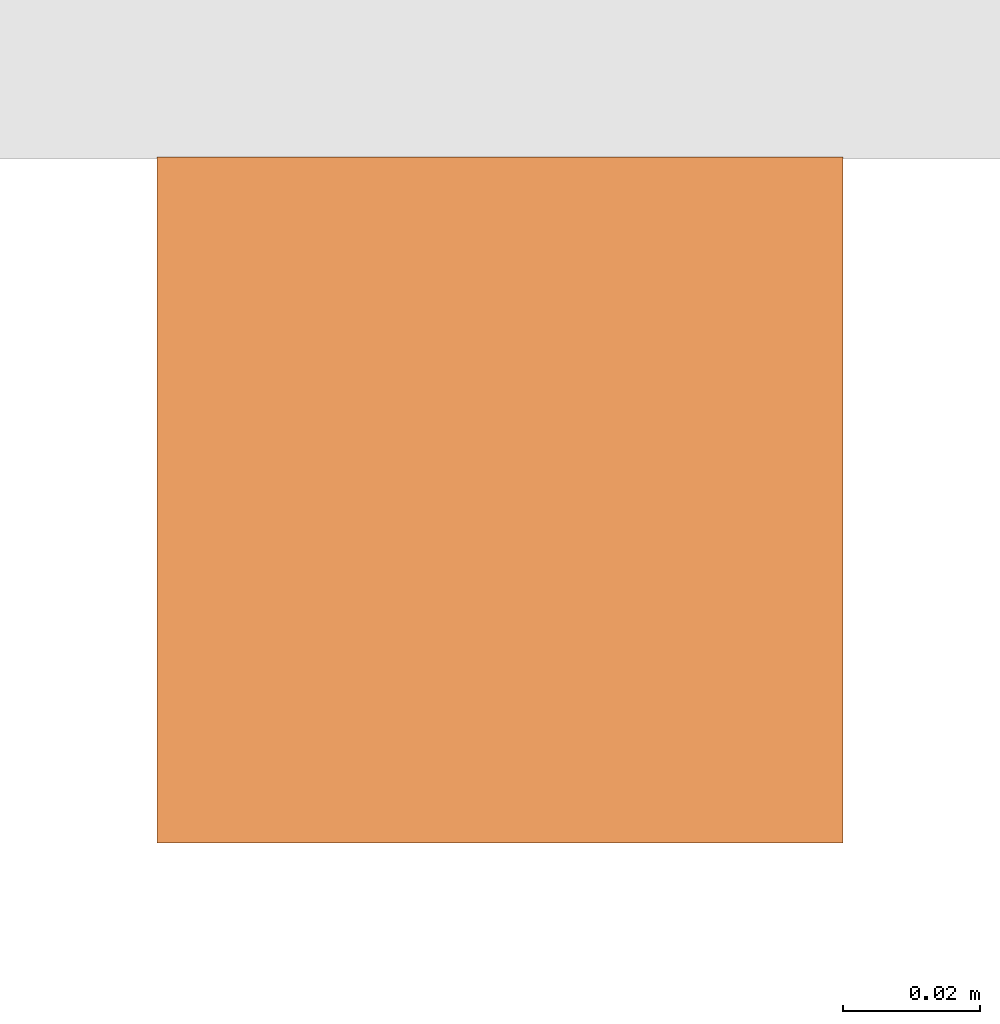
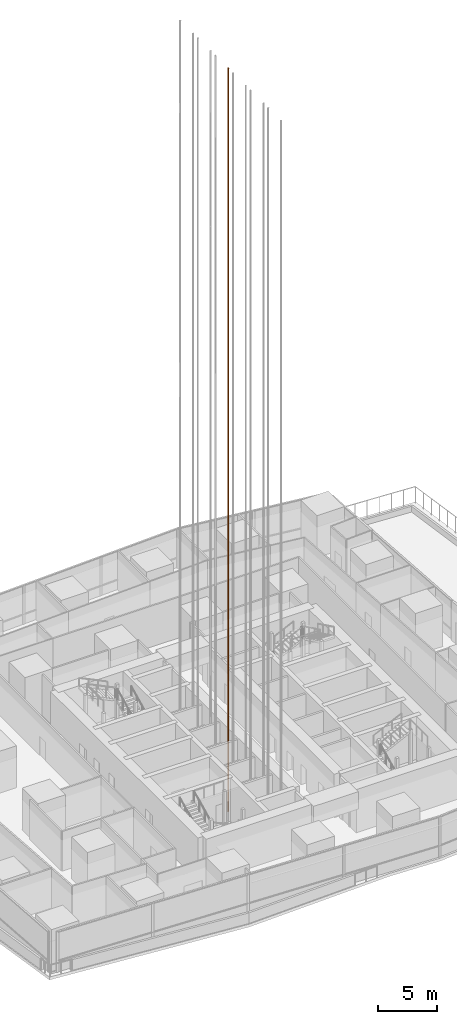
# One storey, part 34 of 39: 1 proxy.
"""IFC4 building model written with IfcOpenShell, lengths in metres."""

from ifc_helpers import new_model, si_unit, direction, frame, origin, origin_2d, place, context, subcontext, project, spatial, rectangle, extrude, material, type_object, element, save


model = new_model("IFC4")

# Units and contexts
model_context = context("Model", 3, precision=1e-05, world=origin(), true_north=direction((0.0, 1.0)))
body_context = subcontext(model_context, "Body", "Model", "MODEL_VIEW")
ifc_project = project(units=[si_unit("LENGTHUNIT", "METRE"), si_unit("AREAUNIT", "SQUARE_METRE"), si_unit("VOLUMEUNIT", "CUBIC_METRE"), si_unit("PLANEANGLEUNIT", "RADIAN"), si_unit("MASSUNIT", "GRAM", prefix="KILO")], contexts=[model_context])

# Site, building, storey
site_placement = place(None, origin())
site = spatial("IfcSite", under=ifc_project, at=site_placement, CompositionType="ELEMENT")
building_placement = place(site_placement, origin())
building = spatial("IfcBuilding", under=site, at=building_placement, Name="Rekha Terrace Tower", CompositionType="ELEMENT")
storey_placement = place(building_placement, frame((0.0, 0.0, 168.199951171875)))
storey = spatial("IfcBuildingStorey", under=building, at=storey_placement, Name="L42", CompositionType="ELEMENT", Elevation=168.199951171875)

# Proxy
ifc_material = material(Name="Steel guide rail", Category="steel")
building_element_proxy_type = type_object("IfcBuildingElementProxyType", Name="LR1 100 lift guide rail", PredefinedType="ELEMENT", material=ifc_material)
proxy_placement = place(storey_placement, frame((34.5, 32.800048828125, -3.2998046875), z_axis=(0.0, 0.0, 1.0), x_axis=(1.0, 0.0, 0.0)))
element("IfcBuildingElementProxy", 1, at=proxy_placement, inside=storey, type_object=building_element_proxy_type, Name="Lift C4 guide rail 1", PredefinedType="ELEMENT", context=body_context, shape_type="SweptSolid", body=[
    extrude(rectangle(XDim=0.10009765625, YDim=0.10009765625, at=origin_2d()), origin(), (0.0, 0.0, 1.0), 77.39990234375),
])

save(model, "model.ifc")
